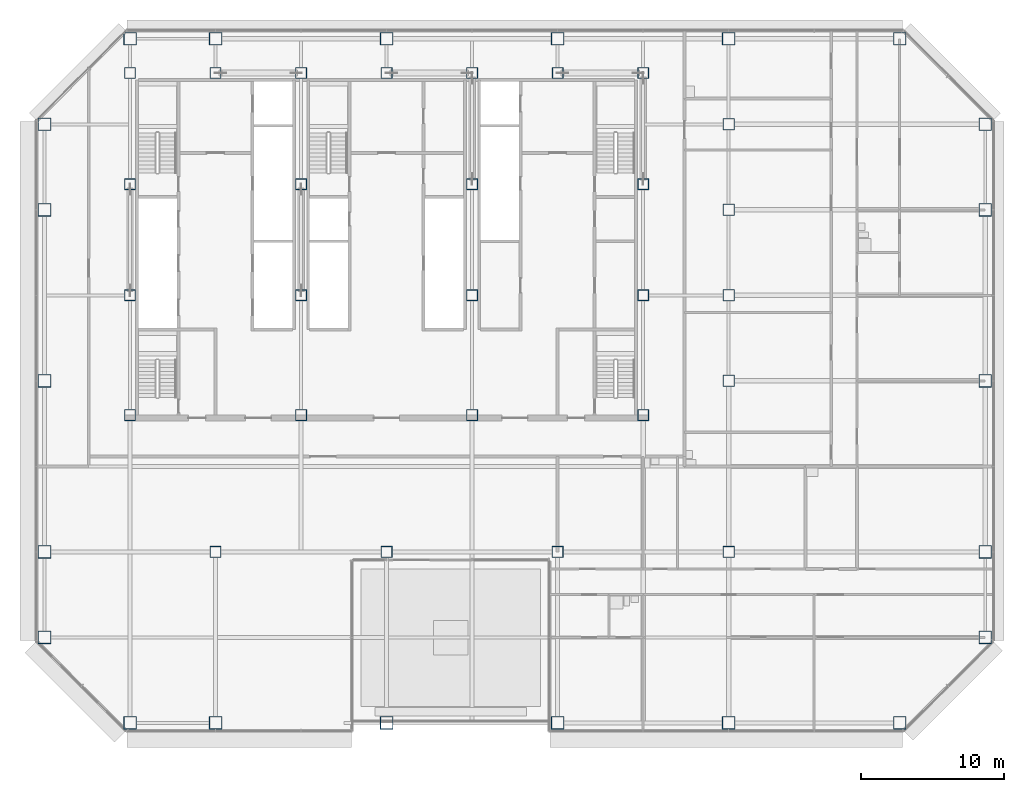
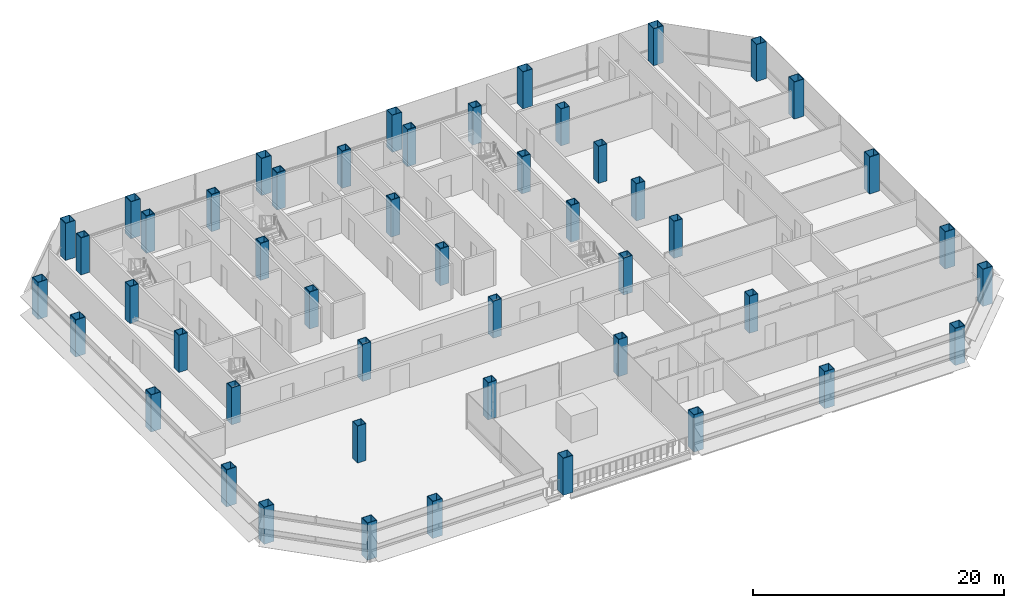
# One storey, part 1 of 27: 49 columns.
"""IFC4 building model written with IfcOpenShell, lengths in metres."""

from ifc_helpers import new_model, si_unit, direction, frame, origin, origin_2d, place, context, subcontext, project, spatial, hollow_rectangle, extrude, material, material_profile, profile_set, type_object, element, save


model = new_model("IFC4")

# Units and contexts
model_context = context("Model", 3, precision=1e-05, world=origin(), true_north=direction((0.0, 1.0)))
body_context = subcontext(model_context, "Body", "Model", "MODEL_VIEW")
ifc_project = project(units=[si_unit("LENGTHUNIT", "METRE"), si_unit("AREAUNIT", "SQUARE_METRE"), si_unit("VOLUMEUNIT", "CUBIC_METRE"), si_unit("PLANEANGLEUNIT", "RADIAN"), si_unit("MASSUNIT", "GRAM", prefix="KILO")], contexts=[model_context])

# Site, building, storey
site_placement = place(None, origin())
site = spatial("IfcSite", under=ifc_project, at=site_placement, CompositionType="ELEMENT")
building_placement = place(site_placement, origin())
building = spatial("IfcBuilding", under=site, at=building_placement, Name="Sorahane Residences", CompositionType="ELEMENT")
storey_placement = place(building_placement, frame((0.0, 0.0, 82.199951171875)))
storey = spatial("IfcBuildingStorey", under=building, at=storey_placement, Name="L17", CompositionType="ELEMENT", Elevation=82.199951171875)

# Columns
ifc_material_1 = material(Name="Steel Q355B", Category="steel")
ifc_material_profile_1 = material_profile(ifc_material_1, hollow_rectangle(XDim=0.800048828125, YDim=0.800048828125, WallThickness=0.0400390625, at=origin_2d()), Name="BOX 800x800x40")
ifc_profile_set_1 = profile_set([ifc_material_profile_1], Name="Steel Q355B")
column_type_1 = type_object("IfcColumnType", Name="Steel box column BOX 800x800x40 Q355B", PredefinedType="COLUMN", material=ifc_profile_set_1)
for number, where, z_axis, x_axis, name in (
    (1, (12.0, 12.0, 0.0), (0.0, 0.0, 1.0), (1.0, 0.0, 0.0), "Column L17 12/12"),
    (2, (24.0, 12.0, 0.0), (0.0, 0.0, 1.0), (1.0, 0.0, 0.0), "Column L17 24/12"),
    (3, (36.0, 12.0, 0.0), (0.0, 0.0, 1.0), (1.0, 0.0, 0.0), "Column L17 36/12"),
    (4, (48.0, 12.0, 0.0), (0.0, 0.0, 1.0), (1.0, 0.0, 0.0), "Column L17 48/12"),
    (5, (48.0, 24.0, 0.0), (0.0, 0.0, 1.0), (1.0, 0.0, 0.0), "Column L17 48/24"),
    (6, (48.0, 30.0, 0.0), (0.0, 0.0, 1.0), (1.0, 0.0, 0.0), "Column L17 48/30"),
    (7, (48.0, 36.0, 0.0), (0.0, 0.0, 1.0), (1.0, 0.0, 0.0), "Column L17 48/36"),
    (8, (48.0, 42.0, 0.0), (0.0, 0.0, 1.0), (1.0, 0.0, 0.0), "Column L17 48/42"),
):
    element("IfcColumn", number, at=place(storey_placement, frame(where, z_axis=z_axis, x_axis=x_axis)), inside=storey, type_object=column_type_1, Name=name, PredefinedType="COLUMN", context=body_context, shape_type="SweptSolid", body=[
        extrude(hollow_rectangle(XDim=0.800048828125, YDim=0.800048828125, WallThickness=0.0400390625, at=origin_2d()), origin(), (0.0, 0.0, 1.0), 3.60009765625),
    ])
ifc_material_2 = material(Name="Steel Q420GJ", Category="steel")
ifc_material_profile_2 = material_profile(ifc_material_2, hollow_rectangle(XDim=0.800048828125, YDim=0.800048828125, WallThickness=0.06005859375, at=origin_2d()), Name="BOX 800x800x60")
ifc_profile_set_2 = profile_set([ifc_material_profile_2], Name="Steel Q420GJ")
column_type_2 = type_object("IfcColumnType", Name="Steel box column BOX 800x800x60 Q420GJ", PredefinedType="COLUMN", material=ifc_profile_set_2)
for number, where, z_axis, x_axis, name in (
    (9, (6.0, 21.60009765625, 0.0), (0.0, 0.0, 1.0), (1.0, 0.0, 0.0), "Column L17 6/21.6"),
    (10, (6.0, 30.0, 0.0), (0.0, 0.0, 1.0), (1.0, 0.0, 0.0), "Column L17 6/30"),
    (11, (6.0, 37.800048828125, 0.0), (0.0, 0.0, 1.0), (1.0, 0.0, 0.0), "Column L17 6/37.8"),
    (12, (6.0, 45.60009765625, 0.0), (0.0, 0.0, 1.0), (1.0, 0.0, 0.0), "Column L17 6/45.6"),
    (13, (12.0, 45.60009765625, 0.0), (0.0, 0.0, 1.0), (1.0, 0.0, 0.0), "Column L17 12/45.6"),
    (14, (18.0, 21.60009765625, 0.0), (0.0, 0.0, 1.0), (1.0, 0.0, 0.0), "Column L17 18/21.6"),
    (15, (18.0, 30.0, 0.0), (0.0, 0.0, 1.0), (1.0, 0.0, 0.0), "Column L17 18/30"),
    (16, (18.0, 37.800048828125, 0.0), (0.0, 0.0, 1.0), (1.0, 0.0, 0.0), "Column L17 18/37.8"),
    (17, (18.0, 45.60009765625, 0.0), (0.0, 0.0, 1.0), (1.0, 0.0, 0.0), "Column L17 18/45.6"),
    (18, (24.0, 45.60009765625, 0.0), (0.0, 0.0, 1.0), (1.0, 0.0, 0.0), "Column L17 24/45.6"),
    (19, (30.0, 21.60009765625, 0.0), (0.0, 0.0, 1.0), (1.0, 0.0, 0.0), "Column L17 30/21.6"),
    (20, (30.0, 30.0, 0.0), (0.0, 0.0, 1.0), (1.0, 0.0, 0.0), "Column L17 30/30"),
    (21, (30.0, 37.800048828125, 0.0), (0.0, 0.0, 1.0), (1.0, 0.0, 0.0), "Column L17 30/37.8"),
    (22, (30.0, 45.60009765625, 0.0), (0.0, 0.0, 1.0), (1.0, 0.0, 0.0), "Column L17 30/45.6"),
    (23, (36.0, 45.60009765625, 0.0), (0.0, 0.0, 1.0), (1.0, 0.0, 0.0), "Column L17 36/45.6"),
    (24, (42.0, 21.60009765625, 0.0), (0.0, 0.0, 1.0), (1.0, 0.0, 0.0), "Column L17 42/21.6"),
    (25, (42.0, 30.0, 0.0), (0.0, 0.0, 1.0), (1.0, 0.0, 0.0), "Column L17 42/30"),
    (26, (42.0, 37.800048828125, 0.0), (0.0, 0.0, 1.0), (1.0, 0.0, 0.0), "Column L17 42/37.8"),
    (27, (42.0, 45.60009765625, 0.0), (0.0, 0.0, 1.0), (1.0, 0.0, 0.0), "Column L17 42/45.6"),
):
    element("IfcColumn", number, at=place(storey_placement, frame(where, z_axis=z_axis, x_axis=x_axis)), inside=storey, type_object=column_type_2, Name=name, PredefinedType="COLUMN", context=body_context, shape_type="SweptSolid", body=[
        extrude(hollow_rectangle(XDim=0.800048828125, YDim=0.800048828125, WallThickness=0.06005859375, at=origin_2d()), origin(), (0.0, 0.0, 1.0), 3.60009765625),
    ])
ifc_material_3 = material(Name="Steel Q420GJ", Category="steel")
ifc_material_profile_3 = material_profile(ifc_material_3, hollow_rectangle(XDim=0.89990234375, YDim=0.89990234375, WallThickness=0.044921875, at=origin_2d()), Name="BOX 900x900x45")
ifc_profile_set_3 = profile_set([ifc_material_profile_3], Name="Steel Q420GJ")
column_type_3 = type_object("IfcColumnType", Name="Steel box column BOX 900x900x45 Q420GJ", PredefinedType="COLUMN", material=ifc_profile_set_3)
for number, where, z_axis, x_axis, name in (
    (28, (0.0, 6.0, 0.0), (0.0, 0.0, 1.0), (1.0, 0.0, 0.0), "Column L17 m0/6"),
    (29, (0.0, 12.0, 0.0), (0.0, 0.0, 1.0), (1.0, 0.0, 0.0), "Column L17 m0/12"),
    (30, (0.0, 24.0, 0.0), (0.0, 0.0, 1.0), (1.0, 0.0, 0.0), "Column L17 m0/24"),
    (31, (0.0, 36.0, 0.0), (0.0, 0.0, 1.0), (1.0, 0.0, 0.0), "Column L17 m0/36"),
    (32, (0.0, 42.0, 0.0), (0.0, 0.0, 1.0), (1.0, 0.0, 0.0), "Column L17 m0/42"),
    (33, (6.0, 0.0, 0.0), (0.0, 0.0, 1.0), (1.0, 0.0, 0.0), "Column L17 6/0"),
    (34, (6.0, 48.0, 0.0), (0.0, 0.0, 1.0), (1.0, 0.0, 0.0), "Column L17 6/48"),
    (35, (12.0, 0.0, 0.0), (0.0, 0.0, 1.0), (1.0, 0.0, 0.0), "Column L17 12/0"),
    (36, (12.0, 48.0, 0.0), (0.0, 0.0, 1.0), (1.0, 0.0, 0.0), "Column L17 12/48"),
    (37, (24.0, 0.0, 0.0), (0.0, 0.0, 1.0), (1.0, 0.0, 0.0), "Column L17 24/0"),
    (38, (24.0, 48.0, 0.0), (0.0, 0.0, 1.0), (1.0, 0.0, 0.0), "Column L17 24/48"),
    (39, (36.0, 0.0, 0.0), (0.0, 0.0, 1.0), (1.0, 0.0, 0.0), "Column L17 36/0"),
    (40, (36.0, 48.0, 0.0), (0.0, 0.0, 1.0), (1.0, 0.0, 0.0), "Column L17 36/48"),
    (41, (48.0, 0.0, 0.0), (0.0, 0.0, 1.0), (1.0, 0.0, 0.0), "Column L17 48/0"),
    (42, (48.0, 48.0, 0.0), (0.0, 0.0, 1.0), (1.0, 0.0, 0.0), "Column L17 48/48"),
    (43, (60.0, 0.0, 0.0), (0.0, 0.0, 1.0), (1.0, 0.0, 0.0), "Column L17 60/0"),
    (44, (60.0, 48.0, 0.0), (0.0, 0.0, 1.0), (1.0, 0.0, 0.0), "Column L17 60/48"),
    (45, (66.0, 6.0, 0.0), (0.0, 0.0, 1.0), (1.0, 0.0, 0.0), "Column L17 66/6"),
    (46, (66.0, 12.0, 0.0), (0.0, 0.0, 1.0), (1.0, 0.0, 0.0), "Column L17 66/12"),
    (47, (66.0, 24.0, 0.0), (0.0, 0.0, 1.0), (1.0, 0.0, 0.0), "Column L17 66/24"),
    (48, (66.0, 36.0, 0.0), (0.0, 0.0, 1.0), (1.0, 0.0, 0.0), "Column L17 66/36"),
    (49, (66.0, 42.0, 0.0), (0.0, 0.0, 1.0), (1.0, 0.0, 0.0), "Column L17 66/42"),
):
    element("IfcColumn", number, at=place(storey_placement, frame(where, z_axis=z_axis, x_axis=x_axis)), inside=storey, type_object=column_type_3, Name=name, PredefinedType="COLUMN", context=body_context, shape_type="SweptSolid", body=[
        extrude(hollow_rectangle(XDim=0.89990234375, YDim=0.89990234375, WallThickness=0.044921875, at=origin_2d()), origin(), (0.0, 0.0, 1.0), 3.60009765625),
    ])

save(model, "model.ifc")
